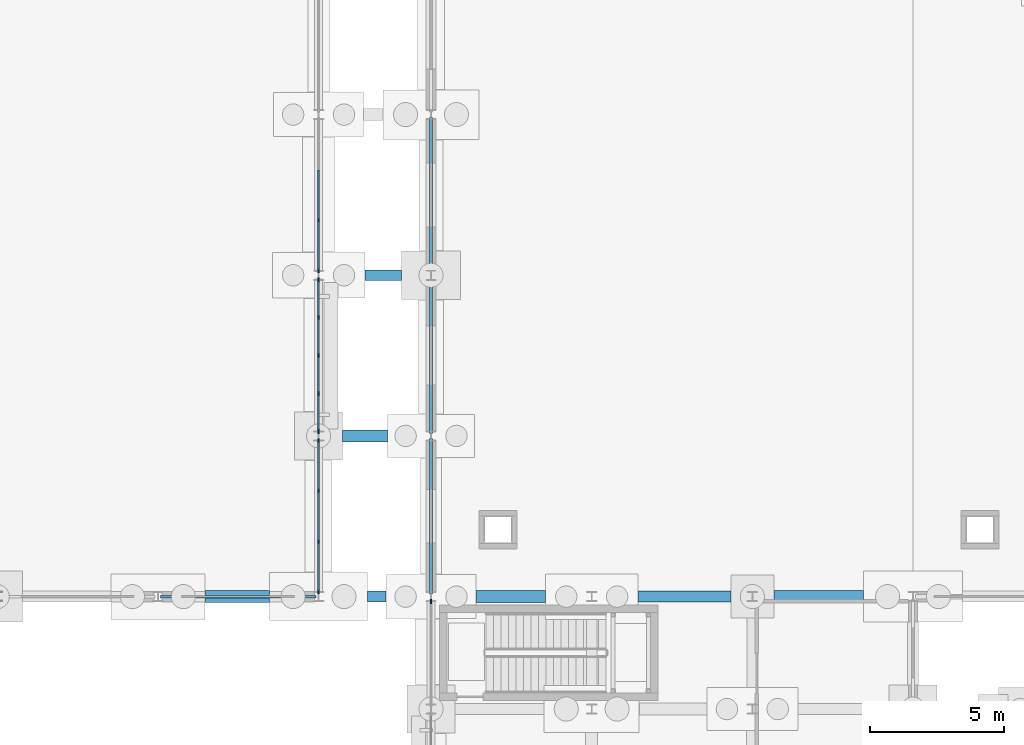
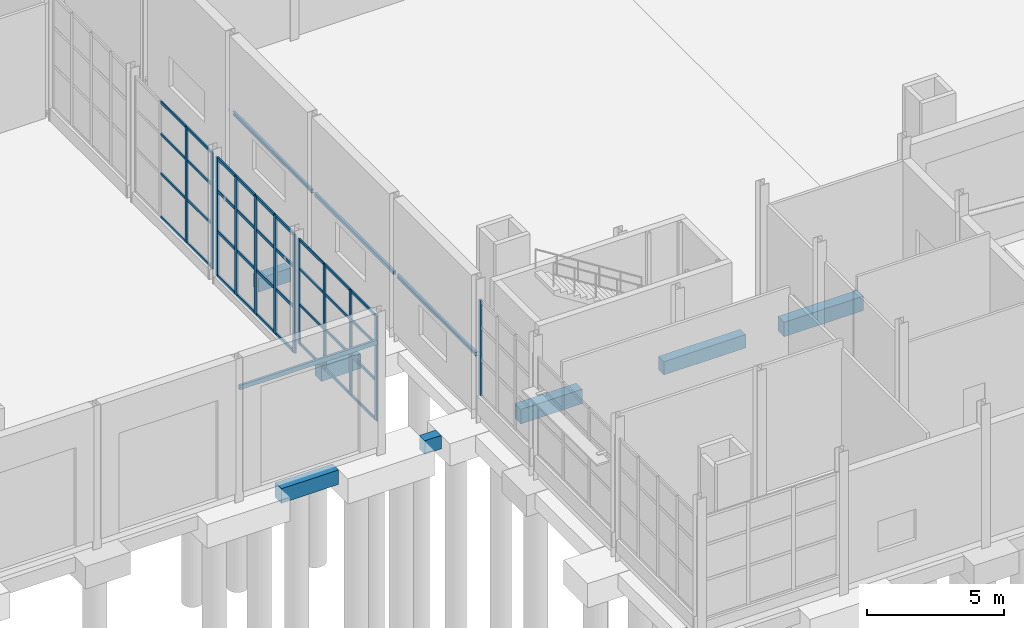
# One storey, part 33 of 120: 48 members, 11 beams, 4 elements without a shape of their own.
"""IFC4 building model written with IfcOpenShell, lengths in metres."""

from ifc_helpers import new_model, si_unit, direction, frame, origin, origin_2d, place, context, subcontext, project, spatial, rectangle, hollow_rectangle, i_section, extrude, material, material_profile, profile_set, type_object, element, aggregate, save


model = new_model("IFC4")

# Units and contexts
model_context = context("Model", 3, precision=1e-05, world=origin(), true_north=direction((0.0, 1.0)))
body_context = subcontext(model_context, "Body", "Model", "MODEL_VIEW")
ifc_project = project(units=[si_unit("LENGTHUNIT", "METRE"), si_unit("AREAUNIT", "SQUARE_METRE"), si_unit("VOLUMEUNIT", "CUBIC_METRE"), si_unit("PLANEANGLEUNIT", "RADIAN"), si_unit("MASSUNIT", "GRAM", prefix="KILO")], contexts=[model_context])

# Site, building, storey
site_placement = place(None, origin())
site = spatial("IfcSite", under=ifc_project, at=site_placement, CompositionType="ELEMENT")
building_placement = place(site_placement, origin())
building = spatial("IfcBuilding", under=site, at=building_placement, Name="Siltcreek Boulevard Central Fire Station", CompositionType="ELEMENT")
storey_placement = place(building_placement, origin())
storey = spatial("IfcBuildingStorey", under=building, at=storey_placement, Name="L01", CompositionType="ELEMENT", Elevation=0.0)

# Curtain wall, members
ifc_material_1 = material(Name="Anodized aluminum and low-E insulated glazing", Category="aluminium")
curtain_wall_type_1 = type_object("IfcCurtainWallType", Name="CW_SYS_06", PredefinedType="USERDEFINED", material=ifc_material_1)
curtain_wall_1_placement = place(storey_placement, origin())
curtain_wall_1 = element("IfcCurtainWall", 1, at=curtain_wall_1_placement, inside=storey, type_object=curtain_wall_type_1, Name="L01 V4 unitised curtain wall CW-095", ObjectType="CURTAIN WALL", PredefinedType="USERDEFINED")
ifc_material_2 = material(Name="Anodized 6063-T6 aluminum framing", Category="aluminium")
ifc_material_profile_1 = material_profile(ifc_material_2, rectangle(XDim=0.06005859375, YDim=0.14990234375, at=origin_2d()), Name="MULL60X150")
ifc_profile_set_1 = profile_set([ifc_material_profile_1], Name="Anodized 6063-T6 aluminum framing")
member_type_1 = type_object("IfcMemberType", Name="CWM_60X150", PredefinedType="MULLION", material=ifc_profile_set_1)
member_1_placement = place(storey_placement, frame((37.800048828125, 18.175048828125, 0.919921875), z_axis=(0.0, 0.0, 1.0), x_axis=(-1.0, 0.0, 0.0)))
member_1 = element("IfcMember", 2, at=member_1_placement, type_object=member_type_1, Name="CW-095 mullion 1", PredefinedType="MULLION", context=body_context, shape_type="SweptSolid", body=[
    extrude(rectangle(XDim=0.06005859375, YDim=0.14990234375, at=origin_2d()), origin(), (0.0, 0.0, 1.0), 4.698974609375),
])
member_2_placement = place(storey_placement, frame((37.800048828125, 20.04833984375, 0.919921875), z_axis=(0.0, 0.0, 1.0), x_axis=(-1.0, 0.0, 0.0)))
member_2 = element("IfcMember", 3, at=member_2_placement, type_object=member_type_1, Name="CW-095 mullion 2", PredefinedType="MULLION", context=body_context, shape_type="SweptSolid", body=[
    extrude(rectangle(XDim=0.06005859375, YDim=0.14990234375, at=origin_2d()), origin(), (0.0, 0.0, 1.0), 4.698974609375),
])
member_3_placement = place(storey_placement, frame((37.800048828125, 21.95166015625, 0.919921875), z_axis=(0.0, 0.0, 1.0), x_axis=(-1.0, 0.0, 0.0)))
member_3 = element("IfcMember", 4, at=member_3_placement, type_object=member_type_1, Name="CW-095 mullion 3", PredefinedType="MULLION", context=body_context, shape_type="SweptSolid", body=[
    extrude(rectangle(XDim=0.06005859375, YDim=0.14990234375, at=origin_2d()), origin(), (0.0, 0.0, 1.0), 4.698974609375),
])
member_4_placement = place(storey_placement, frame((37.800048828125, 23.824951171875, 0.919921875), z_axis=(0.0, 0.0, 1.0), x_axis=(-1.0, 0.0, 0.0)))
member_4 = element("IfcMember", 5, at=member_4_placement, type_object=member_type_1, Name="CW-095 mullion 4", PredefinedType="MULLION", context=body_context, shape_type="SweptSolid", body=[
    extrude(rectangle(XDim=0.06005859375, YDim=0.14990234375, at=origin_2d()), origin(), (0.0, 0.0, 1.0), 4.698974609375),
])

curtain_wall_type_2 = type_object("IfcCurtainWallType", Name="CW_SYS_08", PredefinedType="USERDEFINED", material=ifc_material_1)
curtain_wall_2_placement = place(storey_placement, origin())
curtain_wall_2 = element("IfcCurtainWall", 6, at=curtain_wall_2_placement, inside=storey, type_object=curtain_wall_type_2, Name="L01 V4 unitised curtain wall CW-097", ObjectType="CURTAIN WALL", PredefinedType="USERDEFINED")
member_5_placement = place(storey_placement, frame((37.800048828125, 30.175048828125, 0.43994140625), z_axis=(0.0, 0.0, 1.0), x_axis=(-1.0, 0.0, 0.0)))
member_5 = element("IfcMember", 7, at=member_5_placement, type_object=member_type_1, Name="CW-097 mullion 1", PredefinedType="MULLION", context=body_context, shape_type="SweptSolid", body=[
    extrude(rectangle(XDim=0.06005859375, YDim=0.14990234375, at=origin_2d()), origin(), (0.0, 0.0, 1.0), 5.178955078125),
])
member_6_placement = place(storey_placement, frame((37.800048828125, 32.04833984375, 0.43994140625), z_axis=(0.0, 0.0, 1.0), x_axis=(-1.0, 0.0, 0.0)))
member_6 = element("IfcMember", 8, at=member_6_placement, type_object=member_type_1, Name="CW-097 mullion 2", PredefinedType="MULLION", context=body_context, shape_type="SweptSolid", body=[
    extrude(rectangle(XDim=0.06005859375, YDim=0.14990234375, at=origin_2d()), origin(), (0.0, 0.0, 1.0), 5.178955078125),
])

# Curtain wall, member
curtain_wall_type_3 = type_object("IfcCurtainWallType", Name="CW_SYS_11", PredefinedType="USERDEFINED", material=ifc_material_1)
curtain_wall_3_placement = place(storey_placement, origin())
curtain_wall_3 = element("IfcCurtainWall", 9, at=curtain_wall_3_placement, inside=storey, type_object=curtain_wall_type_3, Name="L01 V1 unitised curtain wall CW-010", ObjectType="CURTAIN WALL", PredefinedType="USERDEFINED")
ifc_material_profile_2 = material_profile(ifc_material_2, rectangle(XDim=0.06494140625, YDim=0.175048828125, at=origin_2d()), Name="MULL65X175")
ifc_profile_set_2 = profile_set([ifc_material_profile_2], Name="Anodized 6063-T6 aluminum framing")
member_type_2 = type_object("IfcMemberType", Name="CWM_65X175", PredefinedType="MULLION", material=ifc_profile_set_2)
member_7_placement = place(storey_placement, frame((42.0, 17.822509765625, 0.800048828125), z_axis=(0.0, 0.0, 1.0), x_axis=(1.0, 0.0, 0.0)))
member_7 = element("IfcMember", 10, at=member_7_placement, type_object=member_type_2, Name="CW-010 mullion 1", PredefinedType="MULLION", context=body_context, shape_type="SweptSolid", body=[
    extrude(rectangle(XDim=0.06494140625, YDim=0.175048828125, at=origin_2d()), origin(), (0.0, 0.0, 1.0), 4.243896484375),
])
aggregate(curtain_wall_3, [member_7])

# Curtain wall, members
curtain_wall_type_4 = type_object("IfcCurtainWallType", Name="CW_SYS_07", PredefinedType="USERDEFINED", material=ifc_material_1)
curtain_wall_4_placement = place(storey_placement, origin())
curtain_wall_4 = element("IfcCurtainWall", 11, at=curtain_wall_4_placement, inside=storey, type_object=curtain_wall_type_4, Name="L01 V4 unitised curtain wall CW-096", ObjectType="CURTAIN WALL", PredefinedType="USERDEFINED")
member_8_placement = place(storey_placement, frame((37.800048828125, 24.177490234375, 0.320068359375), z_axis=(0.0, 0.0, 1.0), x_axis=(-1.0, 0.0, 0.0)))
member_8 = element("IfcMember", 12, at=member_8_placement, type_object=member_type_2, Name="CW-096 mullion 1", PredefinedType="MULLION", context=body_context, shape_type="SweptSolid", body=[
    extrude(rectangle(XDim=0.06494140625, YDim=0.175048828125, at=origin_2d()), origin(), (0.0, 0.0, 1.0), 5.298828125),
])
member_9_placement = place(storey_placement, frame((37.800048828125, 25.572509765625, 0.320068359375), z_axis=(0.0, 0.0, 1.0), x_axis=(-1.0, 0.0, 0.0)))
member_9 = element("IfcMember", 13, at=member_9_placement, type_object=member_type_2, Name="CW-096 mullion 2", PredefinedType="MULLION", context=body_context, shape_type="SweptSolid", body=[
    extrude(rectangle(XDim=0.06494140625, YDim=0.175048828125, at=origin_2d()), origin(), (0.0, 0.0, 1.0), 5.298828125),
])
member_10_placement = place(storey_placement, frame((37.800048828125, 27.0, 0.320068359375), z_axis=(0.0, 0.0, 1.0), x_axis=(-1.0, 0.0, 0.0)))
member_10 = element("IfcMember", 14, at=member_10_placement, type_object=member_type_2, Name="CW-096 mullion 3", PredefinedType="MULLION", context=body_context, shape_type="SweptSolid", body=[
    extrude(rectangle(XDim=0.06494140625, YDim=0.175048828125, at=origin_2d()), origin(), (0.0, 0.0, 1.0), 5.298828125),
])
member_11_placement = place(storey_placement, frame((37.800048828125, 28.427490234375, 0.320068359375), z_axis=(0.0, 0.0, 1.0), x_axis=(-1.0, 0.0, 0.0)))
member_11 = element("IfcMember", 15, at=member_11_placement, type_object=member_type_2, Name="CW-096 mullion 4", PredefinedType="MULLION", context=body_context, shape_type="SweptSolid", body=[
    extrude(rectangle(XDim=0.06494140625, YDim=0.175048828125, at=origin_2d()), origin(), (0.0, 0.0, 1.0), 5.298828125),
])
member_12_placement = place(storey_placement, frame((37.800048828125, 29.822509765625, 0.320068359375), z_axis=(0.0, 0.0, 1.0), x_axis=(-1.0, 0.0, 0.0)))
member_12 = element("IfcMember", 16, at=member_12_placement, type_object=member_type_2, Name="CW-096 mullion 5", PredefinedType="MULLION", context=body_context, shape_type="SweptSolid", body=[
    extrude(rectangle(XDim=0.06494140625, YDim=0.175048828125, at=origin_2d()), origin(), (0.0, 0.0, 1.0), 5.298828125),
])

# Member
ifc_material_profile_3 = material_profile(ifc_material_2, rectangle(XDim=0.06005859375, YDim=0.114990234375, at=origin_2d()), Name="TRAN60X115")
ifc_profile_set_3 = profile_set([ifc_material_profile_3], Name="Anodized 6063-T6 aluminum framing")
member_type_3 = type_object("IfcMemberType", Name="CWT_60X115", PredefinedType="USERDEFINED", material=ifc_profile_set_3)
member_13_placement = place(storey_placement, frame((37.800048828125, 18.205078125, 0.949951171875), z_axis=(0.0, 1.0, 0.0), x_axis=(-1.0, 0.0, 0.0)))
member_13 = element("IfcMember", 17, at=member_13_placement, type_object=member_type_3, Name="CW-095 transom 1.1", ObjectType="TRANSOM", PredefinedType="USERDEFINED", context=body_context, shape_type="SweptSolid", body=[
    extrude(rectangle(XDim=0.06005859375, YDim=0.114990234375, at=origin_2d()), origin(), (0.0, 0.0, 1.0), 1.813232421875),
])

member_14_placement = place(storey_placement, frame((37.800048828125, 18.205078125, 2.70556640625), z_axis=(0.0, 1.0, 0.0), x_axis=(-1.0, 0.0, 0.0)))
member_14 = element("IfcMember", 18, at=member_14_placement, type_object=member_type_3, Name="CW-095 transom 1.2", ObjectType="TRANSOM", PredefinedType="USERDEFINED", context=body_context, shape_type="SweptSolid", body=[
    extrude(rectangle(XDim=0.06005859375, YDim=0.114990234375, at=origin_2d()), origin(), (0.0, 0.0, 1.0), 1.813232421875),
])

member_15_placement = place(storey_placement, frame((37.800048828125, 18.205078125, 4.30322265625), z_axis=(0.0, 1.0, 0.0), x_axis=(-1.0, 0.0, 0.0)))
member_15 = element("IfcMember", 19, at=member_15_placement, type_object=member_type_3, Name="CW-095 transom 1.3", ObjectType="TRANSOM", PredefinedType="USERDEFINED", context=body_context, shape_type="SweptSolid", body=[
    extrude(rectangle(XDim=0.06005859375, YDim=0.114990234375, at=origin_2d()), origin(), (0.0, 0.0, 1.0), 1.813232421875),
])

member_16_placement = place(storey_placement, frame((37.800048828125, 18.205078125, 5.589111328125), z_axis=(0.0, 1.0, 0.0), x_axis=(-1.0, 0.0, 0.0)))
member_16 = element("IfcMember", 20, at=member_16_placement, type_object=member_type_3, Name="CW-095 transom 1.4", ObjectType="TRANSOM", PredefinedType="USERDEFINED", context=body_context, shape_type="SweptSolid", body=[
    extrude(rectangle(XDim=0.06005859375, YDim=0.114990234375, at=origin_2d()), origin(), (0.0, 0.0, 1.0), 1.813232421875),
])

member_17_placement = place(storey_placement, frame((37.800048828125, 20.078369140625, 0.949951171875), z_axis=(0.0, 1.0, 0.0), x_axis=(-1.0, 0.0, 0.0)))
member_17 = element("IfcMember", 21, at=member_17_placement, type_object=member_type_3, Name="CW-095 transom 2.1", ObjectType="TRANSOM", PredefinedType="USERDEFINED", context=body_context, shape_type="SweptSolid", body=[
    extrude(rectangle(XDim=0.06005859375, YDim=0.114990234375, at=origin_2d()), origin(), (0.0, 0.0, 1.0), 1.84326171875),
])

member_18_placement = place(storey_placement, frame((37.800048828125, 20.078369140625, 2.70556640625), z_axis=(0.0, 1.0, 0.0), x_axis=(-1.0, 0.0, 0.0)))
member_18 = element("IfcMember", 22, at=member_18_placement, type_object=member_type_3, Name="CW-095 transom 2.2", ObjectType="TRANSOM", PredefinedType="USERDEFINED", context=body_context, shape_type="SweptSolid", body=[
    extrude(rectangle(XDim=0.06005859375, YDim=0.114990234375, at=origin_2d()), origin(), (0.0, 0.0, 1.0), 1.84326171875),
])

member_19_placement = place(storey_placement, frame((37.800048828125, 20.078369140625, 4.30322265625), z_axis=(0.0, 1.0, 0.0), x_axis=(-1.0, 0.0, 0.0)))
member_19 = element("IfcMember", 23, at=member_19_placement, type_object=member_type_3, Name="CW-095 transom 2.3", ObjectType="TRANSOM", PredefinedType="USERDEFINED", context=body_context, shape_type="SweptSolid", body=[
    extrude(rectangle(XDim=0.06005859375, YDim=0.114990234375, at=origin_2d()), origin(), (0.0, 0.0, 1.0), 1.84326171875),
])

member_20_placement = place(storey_placement, frame((37.800048828125, 20.078369140625, 5.589111328125), z_axis=(0.0, 1.0, 0.0), x_axis=(-1.0, 0.0, 0.0)))
member_20 = element("IfcMember", 24, at=member_20_placement, type_object=member_type_3, Name="CW-095 transom 2.4", ObjectType="TRANSOM", PredefinedType="USERDEFINED", context=body_context, shape_type="SweptSolid", body=[
    extrude(rectangle(XDim=0.06005859375, YDim=0.114990234375, at=origin_2d()), origin(), (0.0, 0.0, 1.0), 1.84326171875),
])

member_21_placement = place(storey_placement, frame((37.800048828125, 21.981689453125, 0.949951171875), z_axis=(0.0, 1.0, 0.0), x_axis=(-1.0, 0.0, 0.0)))
member_21 = element("IfcMember", 25, at=member_21_placement, type_object=member_type_3, Name="CW-095 transom 3.1", ObjectType="TRANSOM", PredefinedType="USERDEFINED", context=body_context, shape_type="SweptSolid", body=[
    extrude(rectangle(XDim=0.06005859375, YDim=0.114990234375, at=origin_2d()), origin(), (0.0, 0.0, 1.0), 1.813232421875),
])

member_22_placement = place(storey_placement, frame((37.800048828125, 21.981689453125, 2.70556640625), z_axis=(0.0, 1.0, 0.0), x_axis=(-1.0, 0.0, 0.0)))
member_22 = element("IfcMember", 26, at=member_22_placement, type_object=member_type_3, Name="CW-095 transom 3.2", ObjectType="TRANSOM", PredefinedType="USERDEFINED", context=body_context, shape_type="SweptSolid", body=[
    extrude(rectangle(XDim=0.06005859375, YDim=0.114990234375, at=origin_2d()), origin(), (0.0, 0.0, 1.0), 1.813232421875),
])

member_23_placement = place(storey_placement, frame((37.800048828125, 21.981689453125, 4.30322265625), z_axis=(0.0, 1.0, 0.0), x_axis=(-1.0, 0.0, 0.0)))
member_23 = element("IfcMember", 27, at=member_23_placement, type_object=member_type_3, Name="CW-095 transom 3.3", ObjectType="TRANSOM", PredefinedType="USERDEFINED", context=body_context, shape_type="SweptSolid", body=[
    extrude(rectangle(XDim=0.06005859375, YDim=0.114990234375, at=origin_2d()), origin(), (0.0, 0.0, 1.0), 1.813232421875),
])

member_24_placement = place(storey_placement, frame((37.800048828125, 21.981689453125, 5.589111328125), z_axis=(0.0, 1.0, 0.0), x_axis=(-1.0, 0.0, 0.0)))
member_24 = element("IfcMember", 28, at=member_24_placement, type_object=member_type_3, Name="CW-095 transom 3.4", ObjectType="TRANSOM", PredefinedType="USERDEFINED", context=body_context, shape_type="SweptSolid", body=[
    extrude(rectangle(XDim=0.06005859375, YDim=0.114990234375, at=origin_2d()), origin(), (0.0, 0.0, 1.0), 1.813232421875),
])

aggregate(curtain_wall_1, [member_1, member_2, member_3, member_4, member_13, member_14, member_15, member_16, member_17, member_18, member_19, member_20, member_21, member_22, member_23, member_24])

member_25_placement = place(storey_placement, frame((37.800048828125, 30.205078125, 0.469970703125), z_axis=(0.0, 1.0, 0.0), x_axis=(-1.0, 0.0, 0.0)))
member_25 = element("IfcMember", 29, at=member_25_placement, type_object=member_type_3, Name="CW-097 transom 1.1", ObjectType="TRANSOM", PredefinedType="USERDEFINED", context=body_context, shape_type="SweptSolid", body=[
    extrude(rectangle(XDim=0.06005859375, YDim=0.114990234375, at=origin_2d()), origin(), (0.0, 0.0, 1.0), 1.813232421875),
])

member_26_placement = place(storey_placement, frame((37.800048828125, 30.205078125, 2.407958984375), z_axis=(0.0, 1.0, 0.0), x_axis=(-1.0, 0.0, 0.0)))
member_26 = element("IfcMember", 30, at=member_26_placement, type_object=member_type_3, Name="CW-097 transom 1.2", ObjectType="TRANSOM", PredefinedType="USERDEFINED", context=body_context, shape_type="SweptSolid", body=[
    extrude(rectangle(XDim=0.06005859375, YDim=0.114990234375, at=origin_2d()), origin(), (0.0, 0.0, 1.0), 1.813232421875),
])

member_27_placement = place(storey_placement, frame((37.800048828125, 30.205078125, 4.1689453125), z_axis=(0.0, 1.0, 0.0), x_axis=(-1.0, 0.0, 0.0)))
member_27 = element("IfcMember", 31, at=member_27_placement, type_object=member_type_3, Name="CW-097 transom 1.3", ObjectType="TRANSOM", PredefinedType="USERDEFINED", context=body_context, shape_type="SweptSolid", body=[
    extrude(rectangle(XDim=0.06005859375, YDim=0.114990234375, at=origin_2d()), origin(), (0.0, 0.0, 1.0), 1.813232421875),
])

member_28_placement = place(storey_placement, frame((37.800048828125, 30.205078125, 5.589111328125), z_axis=(0.0, 1.0, 0.0), x_axis=(-1.0, 0.0, 0.0)))
member_28 = element("IfcMember", 32, at=member_28_placement, type_object=member_type_3, Name="CW-097 transom 1.4", ObjectType="TRANSOM", PredefinedType="USERDEFINED", context=body_context, shape_type="SweptSolid", body=[
    extrude(rectangle(XDim=0.06005859375, YDim=0.114990234375, at=origin_2d()), origin(), (0.0, 0.0, 1.0), 1.813232421875),
])

member_29_placement = place(storey_placement, frame((37.800048828125, 32.078369140625, 0.469970703125), z_axis=(0.0, 1.0, 0.0), x_axis=(-1.0, 0.0, 0.0)))
member_29 = element("IfcMember", 33, at=member_29_placement, type_object=member_type_3, Name="CW-097 transom 2.1", ObjectType="TRANSOM", PredefinedType="USERDEFINED", context=body_context, shape_type="SweptSolid", body=[
    extrude(rectangle(XDim=0.06005859375, YDim=0.114990234375, at=origin_2d()), origin(), (0.0, 0.0, 1.0), 1.84326171875),
])

member_30_placement = place(storey_placement, frame((37.800048828125, 32.078369140625, 2.407958984375), z_axis=(0.0, 1.0, 0.0), x_axis=(-1.0, 0.0, 0.0)))
member_30 = element("IfcMember", 34, at=member_30_placement, type_object=member_type_3, Name="CW-097 transom 2.2", ObjectType="TRANSOM", PredefinedType="USERDEFINED", context=body_context, shape_type="SweptSolid", body=[
    extrude(rectangle(XDim=0.06005859375, YDim=0.114990234375, at=origin_2d()), origin(), (0.0, 0.0, 1.0), 1.84326171875),
])

member_31_placement = place(storey_placement, frame((37.800048828125, 32.078369140625, 4.1689453125), z_axis=(0.0, 1.0, 0.0), x_axis=(-1.0, 0.0, 0.0)))
member_31 = element("IfcMember", 35, at=member_31_placement, type_object=member_type_3, Name="CW-097 transom 2.3", ObjectType="TRANSOM", PredefinedType="USERDEFINED", context=body_context, shape_type="SweptSolid", body=[
    extrude(rectangle(XDim=0.06005859375, YDim=0.114990234375, at=origin_2d()), origin(), (0.0, 0.0, 1.0), 1.84326171875),
])

member_32_placement = place(storey_placement, frame((37.800048828125, 32.078369140625, 5.589111328125), z_axis=(0.0, 1.0, 0.0), x_axis=(-1.0, 0.0, 0.0)))
member_32 = element("IfcMember", 36, at=member_32_placement, type_object=member_type_3, Name="CW-097 transom 2.4", ObjectType="TRANSOM", PredefinedType="USERDEFINED", context=body_context, shape_type="SweptSolid", body=[
    extrude(rectangle(XDim=0.06005859375, YDim=0.114990234375, at=origin_2d()), origin(), (0.0, 0.0, 1.0), 1.84326171875),
])

aggregate(curtain_wall_2, [member_5, member_6, member_25, member_26, member_27, member_28, member_29, member_30, member_31, member_32])

ifc_material_profile_4 = material_profile(ifc_material_2, rectangle(XDim=0.06494140625, YDim=0.135009765625, at=origin_2d()), Name="TRAN65X135")
ifc_profile_set_4 = profile_set([ifc_material_profile_4], Name="Anodized 6063-T6 aluminum framing")
member_type_4 = type_object("IfcMemberType", Name="CWT_65X135", PredefinedType="USERDEFINED", material=ifc_profile_set_4)
member_33_placement = place(storey_placement, frame((37.800048828125, 24.2099609375, 0.3525390625), z_axis=(0.0, 1.0, 0.0), x_axis=(-1.0, 0.0, 0.0)))
member_33 = element("IfcMember", 37, at=member_33_placement, type_object=member_type_4, Name="CW-096 transom 1.1", ObjectType="TRANSOM", PredefinedType="USERDEFINED", context=body_context, shape_type="SweptSolid", body=[
    extrude(rectangle(XDim=0.06494140625, YDim=0.135009765625, at=origin_2d()), origin(), (0.0, 0.0, 1.0), 1.330078125),
])

member_34_placement = place(storey_placement, frame((37.800048828125, 24.2099609375, 2.33349609375), z_axis=(0.0, 1.0, 0.0), x_axis=(-1.0, 0.0, 0.0)))
member_34 = element("IfcMember", 38, at=member_34_placement, type_object=member_type_4, Name="CW-096 transom 1.2", ObjectType="TRANSOM", PredefinedType="USERDEFINED", context=body_context, shape_type="SweptSolid", body=[
    extrude(rectangle(XDim=0.06494140625, YDim=0.135009765625, at=origin_2d()), origin(), (0.0, 0.0, 1.0), 1.330078125),
])

member_35_placement = place(storey_placement, frame((37.800048828125, 24.2099609375, 4.13525390625), z_axis=(0.0, 1.0, 0.0), x_axis=(-1.0, 0.0, 0.0)))
member_35 = element("IfcMember", 39, at=member_35_placement, type_object=member_type_4, Name="CW-096 transom 1.3", ObjectType="TRANSOM", PredefinedType="USERDEFINED", context=body_context, shape_type="SweptSolid", body=[
    extrude(rectangle(XDim=0.06494140625, YDim=0.135009765625, at=origin_2d()), origin(), (0.0, 0.0, 1.0), 1.330078125),
])

member_36_placement = place(storey_placement, frame((37.800048828125, 24.2099609375, 5.58642578125), z_axis=(0.0, 1.0, 0.0), x_axis=(-1.0, 0.0, 0.0)))
member_36 = element("IfcMember", 40, at=member_36_placement, type_object=member_type_4, Name="CW-096 transom 1.4", ObjectType="TRANSOM", PredefinedType="USERDEFINED", context=body_context, shape_type="SweptSolid", body=[
    extrude(rectangle(XDim=0.06494140625, YDim=0.135009765625, at=origin_2d()), origin(), (0.0, 0.0, 1.0), 1.330078125),
])

member_37_placement = place(storey_placement, frame((37.800048828125, 25.60498046875, 0.3525390625), z_axis=(0.0, 1.0, 0.0), x_axis=(-1.0, 0.0, 0.0)))
member_37 = element("IfcMember", 41, at=member_37_placement, type_object=member_type_4, Name="CW-096 transom 2.1", ObjectType="TRANSOM", PredefinedType="USERDEFINED", context=body_context, shape_type="SweptSolid", body=[
    extrude(rectangle(XDim=0.06494140625, YDim=0.135009765625, at=origin_2d()), origin(), (0.0, 0.0, 1.0), 1.362548828125),
])

member_38_placement = place(storey_placement, frame((37.800048828125, 25.60498046875, 2.33349609375), z_axis=(0.0, 1.0, 0.0), x_axis=(-1.0, 0.0, 0.0)))
member_38 = element("IfcMember", 42, at=member_38_placement, type_object=member_type_4, Name="CW-096 transom 2.2", ObjectType="TRANSOM", PredefinedType="USERDEFINED", context=body_context, shape_type="SweptSolid", body=[
    extrude(rectangle(XDim=0.06494140625, YDim=0.135009765625, at=origin_2d()), origin(), (0.0, 0.0, 1.0), 1.362548828125),
])

member_39_placement = place(storey_placement, frame((37.800048828125, 25.60498046875, 4.13525390625), z_axis=(0.0, 1.0, 0.0), x_axis=(-1.0, 0.0, 0.0)))
member_39 = element("IfcMember", 43, at=member_39_placement, type_object=member_type_4, Name="CW-096 transom 2.3", ObjectType="TRANSOM", PredefinedType="USERDEFINED", context=body_context, shape_type="SweptSolid", body=[
    extrude(rectangle(XDim=0.06494140625, YDim=0.135009765625, at=origin_2d()), origin(), (0.0, 0.0, 1.0), 1.362548828125),
])

member_40_placement = place(storey_placement, frame((37.800048828125, 25.60498046875, 5.58642578125), z_axis=(0.0, 1.0, 0.0), x_axis=(-1.0, 0.0, 0.0)))
member_40 = element("IfcMember", 44, at=member_40_placement, type_object=member_type_4, Name="CW-096 transom 2.4", ObjectType="TRANSOM", PredefinedType="USERDEFINED", context=body_context, shape_type="SweptSolid", body=[
    extrude(rectangle(XDim=0.06494140625, YDim=0.135009765625, at=origin_2d()), origin(), (0.0, 0.0, 1.0), 1.362548828125),
])

member_41_placement = place(storey_placement, frame((37.800048828125, 27.032470703125, 0.3525390625), z_axis=(0.0, 1.0, 0.0), x_axis=(-1.0, 0.0, 0.0)))
member_41 = element("IfcMember", 45, at=member_41_placement, type_object=member_type_4, Name="CW-096 transom 3.1", ObjectType="TRANSOM", PredefinedType="USERDEFINED", context=body_context, shape_type="SweptSolid", body=[
    extrude(rectangle(XDim=0.06494140625, YDim=0.135009765625, at=origin_2d()), origin(), (0.0, 0.0, 1.0), 1.362548828125),
])

member_42_placement = place(storey_placement, frame((37.800048828125, 27.032470703125, 2.33349609375), z_axis=(0.0, 1.0, 0.0), x_axis=(-1.0, 0.0, 0.0)))
member_42 = element("IfcMember", 46, at=member_42_placement, type_object=member_type_4, Name="CW-096 transom 3.2", ObjectType="TRANSOM", PredefinedType="USERDEFINED", context=body_context, shape_type="SweptSolid", body=[
    extrude(rectangle(XDim=0.06494140625, YDim=0.135009765625, at=origin_2d()), origin(), (0.0, 0.0, 1.0), 1.362548828125),
])

member_43_placement = place(storey_placement, frame((37.800048828125, 27.032470703125, 4.13525390625), z_axis=(0.0, 1.0, 0.0), x_axis=(-1.0, 0.0, 0.0)))
member_43 = element("IfcMember", 47, at=member_43_placement, type_object=member_type_4, Name="CW-096 transom 3.3", ObjectType="TRANSOM", PredefinedType="USERDEFINED", context=body_context, shape_type="SweptSolid", body=[
    extrude(rectangle(XDim=0.06494140625, YDim=0.135009765625, at=origin_2d()), origin(), (0.0, 0.0, 1.0), 1.362548828125),
])

member_44_placement = place(storey_placement, frame((37.800048828125, 27.032470703125, 5.58642578125), z_axis=(0.0, 1.0, 0.0), x_axis=(-1.0, 0.0, 0.0)))
member_44 = element("IfcMember", 48, at=member_44_placement, type_object=member_type_4, Name="CW-096 transom 3.4", ObjectType="TRANSOM", PredefinedType="USERDEFINED", context=body_context, shape_type="SweptSolid", body=[
    extrude(rectangle(XDim=0.06494140625, YDim=0.135009765625, at=origin_2d()), origin(), (0.0, 0.0, 1.0), 1.362548828125),
])

member_45_placement = place(storey_placement, frame((37.800048828125, 28.4599609375, 0.3525390625), z_axis=(0.0, 1.0, 0.0), x_axis=(-1.0, 0.0, 0.0)))
member_45 = element("IfcMember", 49, at=member_45_placement, type_object=member_type_4, Name="CW-096 transom 4.1", ObjectType="TRANSOM", PredefinedType="USERDEFINED", context=body_context, shape_type="SweptSolid", body=[
    extrude(rectangle(XDim=0.06494140625, YDim=0.135009765625, at=origin_2d()), origin(), (0.0, 0.0, 1.0), 1.330078125),
])

member_46_placement = place(storey_placement, frame((37.800048828125, 28.4599609375, 2.33349609375), z_axis=(0.0, 1.0, 0.0), x_axis=(-1.0, 0.0, 0.0)))
member_46 = element("IfcMember", 50, at=member_46_placement, type_object=member_type_4, Name="CW-096 transom 4.2", ObjectType="TRANSOM", PredefinedType="USERDEFINED", context=body_context, shape_type="SweptSolid", body=[
    extrude(rectangle(XDim=0.06494140625, YDim=0.135009765625, at=origin_2d()), origin(), (0.0, 0.0, 1.0), 1.330078125),
])

member_47_placement = place(storey_placement, frame((37.800048828125, 28.4599609375, 4.13525390625), z_axis=(0.0, 1.0, 0.0), x_axis=(-1.0, 0.0, 0.0)))
member_47 = element("IfcMember", 51, at=member_47_placement, type_object=member_type_4, Name="CW-096 transom 4.3", ObjectType="TRANSOM", PredefinedType="USERDEFINED", context=body_context, shape_type="SweptSolid", body=[
    extrude(rectangle(XDim=0.06494140625, YDim=0.135009765625, at=origin_2d()), origin(), (0.0, 0.0, 1.0), 1.330078125),
])

member_48_placement = place(storey_placement, frame((37.800048828125, 28.4599609375, 5.58642578125), z_axis=(0.0, 1.0, 0.0), x_axis=(-1.0, 0.0, 0.0)))
member_48 = element("IfcMember", 52, at=member_48_placement, type_object=member_type_4, Name="CW-096 transom 4.4", ObjectType="TRANSOM", PredefinedType="USERDEFINED", context=body_context, shape_type="SweptSolid", body=[
    extrude(rectangle(XDim=0.06494140625, YDim=0.135009765625, at=origin_2d()), origin(), (0.0, 0.0, 1.0), 1.330078125),
])

aggregate(curtain_wall_4, [member_8, member_9, member_10, member_11, member_12, member_33, member_34, member_35, member_36, member_37, member_38, member_39, member_40, member_41, member_42, member_43, member_44, member_45, member_46, member_47, member_48])

# Beams
ifc_material_3 = material(Name="Concrete C35/45", Category="concrete")
ifc_material_profile_5 = material_profile(ifc_material_3, rectangle(XDim=0.39990234375, YDim=0.60009765625, at=origin_2d()), Name="RC400X600")
ifc_profile_set_5 = profile_set([ifc_material_profile_5], Name="Concrete C35/45")
beam_type_1 = type_object("IfcBeamType", Name="GB_RC400X600", PredefinedType="USERDEFINED", material=ifc_profile_set_5)
beam_1_placement = place(storey_placement, frame((39.626953125, 18.0, -0.7099609375), z_axis=(1.0, 0.0, 0.0), x_axis=(0.0, 1.0, 0.0)))
element("IfcBeam", 53, at=beam_1_placement, inside=storey, type_object=beam_type_1, Name="Reinforced concrete tie grade beam GB-029", ObjectType="GRADE BEAM", PredefinedType="USERDEFINED", context=body_context, shape_type="SweptSolid", body=[
    extrude(rectangle(XDim=0.39990234375, YDim=0.60009765625, at=origin_2d()), origin(), (0.0, 0.0, 1.0), 0.696044921875),
])
beam_2_placement = place(storey_placement, frame((49.72705078125, 18.0, -0.7099609375), z_axis=(1.0, 0.0, 0.0), x_axis=(0.0, 1.0, 0.0)))
element("IfcBeam", 54, at=beam_2_placement, inside=storey, type_object=beam_type_1, Name="Reinforced concrete tie grade beam GB-031", ObjectType="GRADE BEAM", PredefinedType="USERDEFINED", context=body_context, shape_type="SweptSolid", body=[
    extrude(rectangle(XDim=0.39990234375, YDim=0.60009765625, at=origin_2d()), origin(), (0.0, 0.0, 1.0), 3.470947265625),
])
beam_3_placement = place(storey_placement, frame((39.527099609375, 30.0, -0.7099609375), z_axis=(1.0, 0.0, 0.0), x_axis=(0.0, 1.0, 0.0)))
element("IfcBeam", 55, at=beam_3_placement, inside=storey, type_object=beam_type_1, Name="Reinforced concrete tie grade beam GB-067", ObjectType="GRADE BEAM", PredefinedType="USERDEFINED", context=body_context, shape_type="SweptSolid", body=[
    extrude(rectangle(XDim=0.39990234375, YDim=0.60009765625, at=origin_2d()), origin(), (0.0, 0.0, 1.0), 1.370849609375),
])
ifc_material_profile_6 = material_profile(ifc_material_3, rectangle(XDim=0.449951171875, YDim=0.64990234375, at=origin_2d()), Name="RC450X650")
ifc_profile_set_6 = profile_set([ifc_material_profile_6], Name="Concrete C35/45")
beam_type_2 = type_object("IfcBeamType", Name="GB_RC450X650", PredefinedType="USERDEFINED", material=ifc_profile_set_6)
beam_4_placement = place(storey_placement, frame((33.552001953125, 18.0, -0.735107421875), z_axis=(1.0, 0.0, 0.0), x_axis=(0.0, 1.0, 0.0)))
element("IfcBeam", 56, at=beam_4_placement, inside=storey, type_object=beam_type_2, Name="Reinforced concrete tie grade beam GB-028", ObjectType="GRADE BEAM", PredefinedType="USERDEFINED", context=body_context, shape_type="SweptSolid", body=[
    extrude(rectangle(XDim=0.449951171875, YDim=0.64990234375, at=origin_2d()), origin(), (0.0, 0.0, 1.0), 2.4208984375),
])
beam_5_placement = place(storey_placement, frame((43.677001953125, 18.0, -0.735107421875), z_axis=(1.0, 0.0, 0.0), x_axis=(0.0, 1.0, 0.0)))
element("IfcBeam", 57, at=beam_5_placement, inside=storey, type_object=beam_type_2, Name="Reinforced concrete tie grade beam GB-030", ObjectType="GRADE BEAM", PredefinedType="USERDEFINED", context=body_context, shape_type="SweptSolid", body=[
    extrude(rectangle(XDim=0.449951171875, YDim=0.64990234375, at=origin_2d()), origin(), (0.0, 0.0, 1.0), 2.595947265625),
])
beam_6_placement = place(storey_placement, frame((54.802001953125, 18.0, -0.735107421875), z_axis=(1.0, 0.0, 0.0), x_axis=(0.0, 1.0, 0.0)))
element("IfcBeam", 58, at=beam_6_placement, inside=storey, type_object=beam_type_2, Name="Reinforced concrete tie grade beam GB-032", ObjectType="GRADE BEAM", PredefinedType="USERDEFINED", context=body_context, shape_type="SweptSolid", body=[
    extrude(rectangle(XDim=0.449951171875, YDim=0.64990234375, at=origin_2d()), origin(), (0.0, 0.0, 1.0), 3.345947265625),
])
beam_7_placement = place(storey_placement, frame((38.701904296875, 24.0, -0.735107421875), z_axis=(1.0, 0.0, 0.0), x_axis=(0.0, 1.0, 0.0)))
element("IfcBeam", 59, at=beam_7_placement, inside=storey, type_object=beam_type_2, Name="Reinforced concrete tie grade beam GB-052", ObjectType="GRADE BEAM", PredefinedType="USERDEFINED", context=body_context, shape_type="SweptSolid", body=[
    extrude(rectangle(XDim=0.449951171875, YDim=0.64990234375, at=origin_2d()), origin(), (0.0, 0.0, 1.0), 1.671142578125),
])
ifc_material_4 = material(Name="Structural steel ASTM A500 GrC", Category="steel")
ifc_material_profile_7 = material_profile(ifc_material_4, hollow_rectangle(XDim=0.10009765625, YDim=0.14990234375, WallThickness=0.00634765625, at=origin_2d()), Name="HSS150X100X6.4")
ifc_profile_set_7 = profile_set([ifc_material_profile_7], Name="Structural steel ASTM A500 GrC")
beam_type_3 = type_object("IfcBeamType", Name="LIN_HSS150X100", PredefinedType="LINTEL", material=ifc_profile_set_7)
beam_8_placement = place(storey_placement, frame((42.0, 29.89990234375, 2.449951171875), z_axis=(0.0, -1.0, 0.0), x_axis=(1.0, 0.0, 0.0)))
element("IfcBeam", 60, at=beam_8_placement, inside=storey, type_object=beam_type_3, Name="Exterior window steel lintel WLN-11", PredefinedType="LINTEL", context=body_context, shape_type="SweptSolid", body=[
    extrude(hollow_rectangle(XDim=0.10009765625, YDim=0.14990234375, WallThickness=0.00634765625, at=origin_2d()), origin(), (0.0, 0.0, 1.0), 5.7998046875),
])
ifc_material_profile_8 = material_profile(ifc_material_4, hollow_rectangle(XDim=0.10009765625, YDim=0.199951171875, WallThickness=0.00634765625, at=origin_2d()), Name="HSS200X100X6.4")
ifc_profile_set_8 = profile_set([ifc_material_profile_8], Name="Structural steel ASTM A500 GrC")
beam_type_4 = type_object("IfcBeamType", Name="LIN_HSS200X100", PredefinedType="LINTEL", material=ifc_profile_set_8)
beam_9_placement = place(storey_placement, frame((31.89990234375, 18.0, 4.570068359375), z_axis=(1.0, 0.0, 0.0), x_axis=(0.0, 1.0, 0.0)))
element("IfcBeam", 61, at=beam_9_placement, inside=storey, type_object=beam_type_4, Name="Fleet bay header lintel beam LN-037", PredefinedType="LINTEL", context=body_context, shape_type="SweptSolid", body=[
    extrude(hollow_rectangle(XDim=0.10009765625, YDim=0.199951171875, WallThickness=0.00634765625, at=origin_2d()), origin(), (0.0, 0.0, 1.0), 5.800048828125),
])
ifc_material_5 = material(Name="Structural steel ASTM A992 Gr50", Category="steel")
ifc_material_profile_9 = material_profile(ifc_material_5, i_section(OverallWidth=0.10205078125, OverallDepth=0.159912109375, WebThickness=0.006591796875, FlangeThickness=0.01025390625, at=origin_2d()), Name="W150X24")
ifc_profile_set_9 = profile_set([ifc_material_profile_9], Name="Structural steel ASTM A992 Gr50")
beam_type_5 = type_object("IfcBeamType", Name="LIN_W150X24", PredefinedType="LINTEL", material=ifc_profile_set_9)
for number, where, z_axis, x_axis, name in (
    (62, (42.0, 23.89990234375, 2.449951171875), (0.0, -1.0, 0.0), (1.0, 0.0, 0.0), "Exterior window steel lintel WLN-10"),
    (63, (42.0, 35.89990234375, 2.449951171875), (0.0, -1.0, 0.0), (1.0, 0.0, 0.0), "Exterior window steel lintel WLN-12"),
):
    element("IfcBeam", number, at=place(storey_placement, frame(where, z_axis=z_axis, x_axis=x_axis)), inside=storey, type_object=beam_type_5, Name=name, PredefinedType="LINTEL", context=body_context, shape_type="SweptSolid", body=[
        extrude(i_section(OverallWidth=0.10205078125, OverallDepth=0.159912109375, WebThickness=0.006591796875, FlangeThickness=0.01025390625, at=origin_2d()), origin(), (0.0, 0.0, 1.0), 5.7998046875),
    ])

save(model, "model.ifc")
